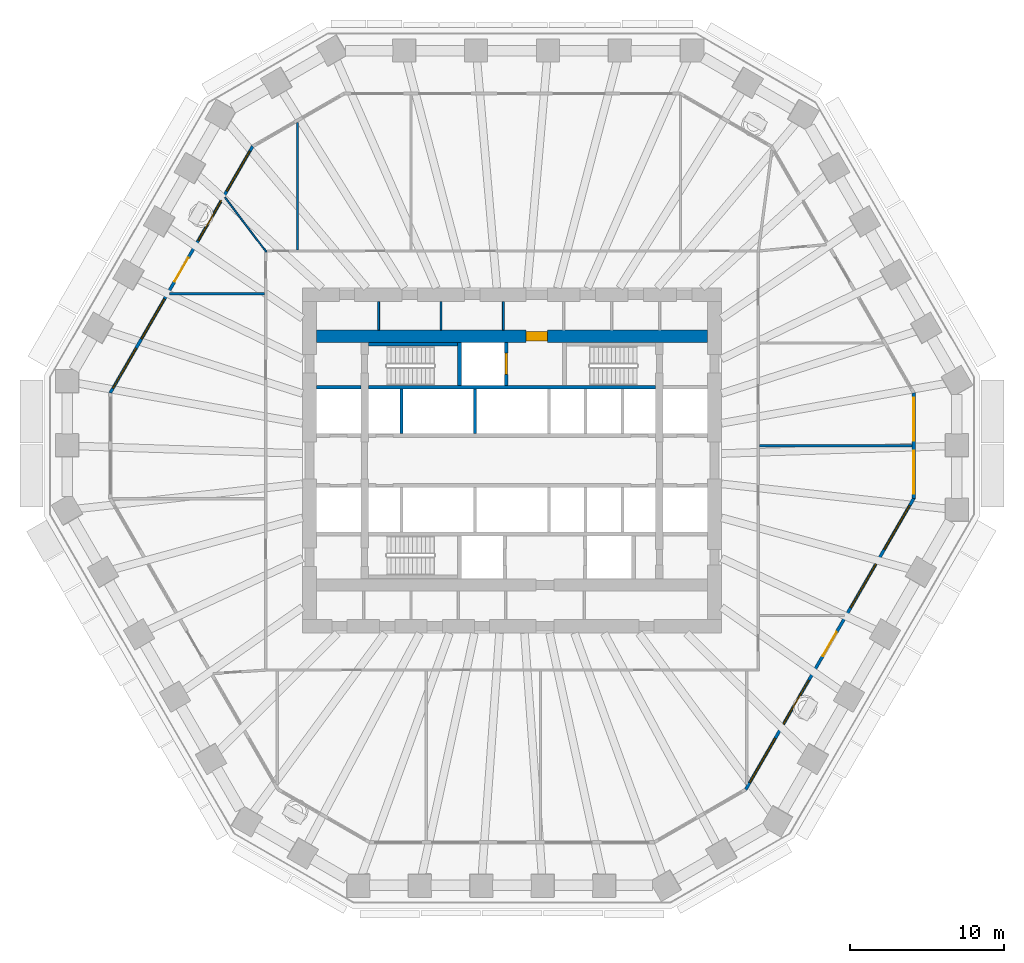
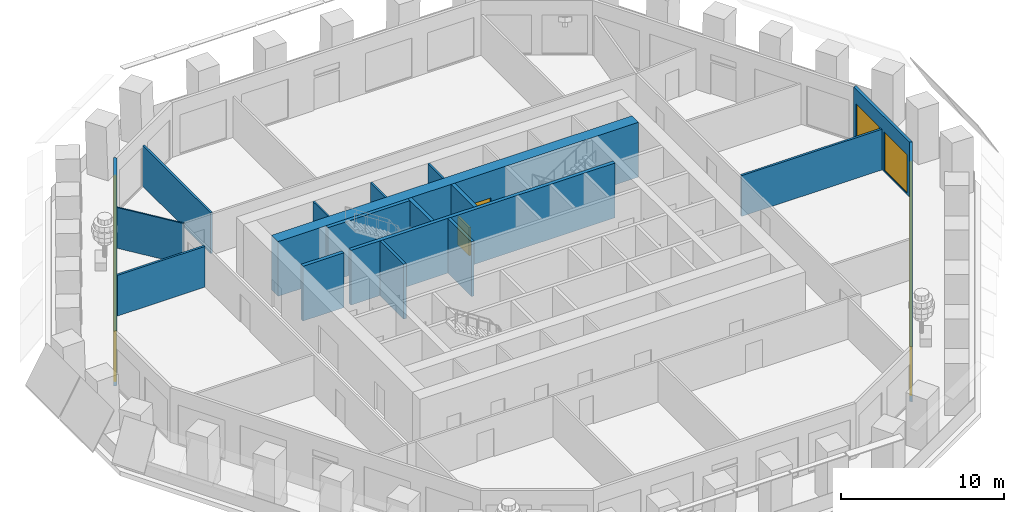
# One storey, part 6 of 12: 18 walls, 12 windows, 4 doors, 16 openings.
"""IFC4 building model written with IfcOpenShell, lengths in metres."""

import ifcopenshell
import ifcopenshell.guid

model = None  # the IFC model being written
_history = None  # IfcOwnerHistory: only IFC2X3 demands one
_inside = {}  # id of a spatial element -> (the spatial element, [elements in it])
_under = {}  # id of a project, library or spatial element -> (it, [spatial elements below it])
_declared = {}  # id of a project -> (the project, [libraries it declares])
_typed = {}  # id of a type object -> (the type object, [elements of that type])
_made_of = {}  # id of a material, layer set ... -> (it, [elements and type objects made of it])


def new_model(schema):
    """Start an empty IFC model of exactly this schema.

    Asked for "IFC4X3", IfcOpenShell would pick the latest addendum, in which some entities
    have other attributes; the version numbers below select the first issue.
    IFC2X3 requires an IfcOwnerHistory on every rooted entity: one is made here for all.
    """
    global model, _history
    if schema == "IFC4X3":
        model = ifcopenshell.file(schema_version=(4, 3, 0, 0))
    else:
        model = ifcopenshell.file(schema=schema)
    _inside.clear()
    _under.clear()
    _declared.clear()
    _typed.clear()
    _made_of.clear()
    _history = None
    if model.schema == "IFC2X3":
        org = make("IfcOrganization", Name="unknown")
        user = make(
            "IfcPersonAndOrganization",
            ThePerson=make("IfcPerson", FamilyName="unknown"),
            TheOrganization=org,
        )
        app = make(
            "IfcApplication",
            ApplicationDeveloper=org,
            Version="unknown",
            ApplicationFullName="unknown",
            ApplicationIdentifier="unknown",
        )
        _history = make(
            "IfcOwnerHistory",
            OwningUser=user,
            OwningApplication=app,
            ChangeAction="ADDED",
            CreationDate=0,
        )
    return model


def make(cls, **values):
    """One entity of the class cls with the attributes given. An attribute that is None is left unset."""
    return model.create_entity(
        cls, **{name: value for name, value in values.items() if value is not None}
    )


def rooted(cls, **values):
    """An entity with a GlobalId (a new one), such as an element, a storey or a relation."""
    return make(cls, GlobalId=ifcopenshell.guid.new(), OwnerHistory=_history, **values)


def si_unit(unit_type, name, prefix=None):
    """IfcSIUnit, for example si_unit("LENGTHUNIT", "METRE", prefix="MILLI")."""
    return make("IfcSIUnit", UnitType=unit_type, Prefix=prefix, Name=name)


def assignment(units):
    """IfcUnitAssignment: the units of a project."""
    return None if units is None else make("IfcUnitAssignment", Units=units)


def point(xyz):
    """IfcCartesianPoint."""
    return None if xyz is None else make("IfcCartesianPoint", Coordinates=xyz)


def direction(xyz):
    """IfcDirection."""
    return None if xyz is None else make("IfcDirection", DirectionRatios=xyz)


def frame(location, z_axis=None, x_axis=None):
    """IfcAxis2Placement3D, a coordinate frame: its origin and axes. An axis left out is left unset."""
    return make(
        "IfcAxis2Placement3D",
        Location=point(location),
        Axis=direction(z_axis),
        RefDirection=direction(x_axis),
    )


def frame_2d(location, x_axis=None):
    """IfcAxis2Placement2D, a coordinate frame in the plane: its origin and x axis."""
    return make(
        "IfcAxis2Placement2D", Location=point(location), RefDirection=direction(x_axis)
    )


def origin():
    """The frame at (0, 0, 0) with its axes left unset."""
    return frame((0.0, 0.0, 0.0))


def place(relative_to, where):
    """IfcLocalPlacement: puts the frame where relative to a parent placement (None: the world)."""
    return make(
        "IfcLocalPlacement", PlacementRelTo=relative_to, RelativePlacement=where
    )


def context(
    kind, dimensions, precision=None, world=None, true_north=None, identifier=None
):
    """IfcGeometricRepresentationContext, for example the 3D "Model" context."""
    return make(
        "IfcGeometricRepresentationContext",
        ContextIdentifier=identifier,
        ContextType=kind,
        CoordinateSpaceDimension=dimensions,
        Precision=precision,
        WorldCoordinateSystem=world,
        TrueNorth=true_north,
    )


def subcontext(parent, identifier, kind, view, scale=None):
    """IfcGeometricRepresentationSubContext, for example "Body" below "Model"."""
    return make(
        "IfcGeometricRepresentationSubContext",
        ContextIdentifier=identifier,
        ContextType=kind,
        ParentContext=parent,
        TargetScale=scale,
        TargetView=view,
    )


def project(units=None, contexts=None):
    """IfcProject with its units and contexts."""
    return rooted(
        "IfcProject",
        Name="project",
        RepresentationContexts=contexts,
        UnitsInContext=assignment(units),
    )


def spatial(cls, under=None, at=None, **own):
    """A site, building, storey or space (cls), placed at a placement, below another one or the project."""
    s = rooted(cls, ObjectPlacement=at, **own)
    if under is not None:
        _under.setdefault(under.id(), (under, []))[1].append(s)
    return s


def polyline(points):
    """IfcPolyline through the points."""
    return make("IfcPolyline", Points=[point(p) for p in points])


def profile(cls, at=None, kind="AREA", **sizes):
    """A parametric profile (cls). Its sizes go by their IFC names, for example OverallWidth=200.0."""
    return make(cls, ProfileType=kind, Position=at, **sizes)


def rectangle(**sizes):
    """IfcRectangleProfileDef."""
    return profile("IfcRectangleProfileDef", **sizes)


def outline(outer, holes=None, kind="AREA"):
    """IfcArbitraryClosedProfileDef: a profile drawn as a closed curve; with holes, ...WithVoids."""
    if holes is None:
        return make("IfcArbitraryClosedProfileDef", ProfileType=kind, OuterCurve=outer)
    return make(
        "IfcArbitraryProfileDefWithVoids",
        ProfileType=kind,
        OuterCurve=outer,
        InnerCurves=holes,
    )


def extrude(swept, where, along, depth):
    """IfcExtrudedAreaSolid: the profile swept, set in the frame where, extruded along a direction by depth."""
    return make(
        "IfcExtrudedAreaSolid",
        SweptArea=swept,
        Position=where,
        ExtrudedDirection=direction(along),
        Depth=depth,
    )


def shape(context_of_items, identifier, shape_type, items):
    """IfcShapeRepresentation: the items that make up one representation, for example the "Body"."""
    return make(
        "IfcShapeRepresentation",
        ContextOfItems=context_of_items,
        RepresentationIdentifier=identifier,
        RepresentationType=shape_type,
        Items=items,
    )


def material(Name=None, Category=None):
    """IfcMaterial."""
    return make("IfcMaterial", Name=Name, Category=Category)


def layer(
    of_material, thickness, ventilated=None, Name=None, Category=None, Priority=None
):
    """IfcMaterialLayer: one layer of a wall or slab, of a material (None: an air gap)."""
    return make(
        "IfcMaterialLayer",
        Material=of_material,
        LayerThickness=thickness,
        IsVentilated=ventilated,
        Name=Name,
        Category=Category,
        Priority=Priority,
    )


def layer_set(layers, Name=None):
    """IfcMaterialLayerSet."""
    return make("IfcMaterialLayerSet", MaterialLayers=layers, LayerSetName=Name)


def made_of(thing, what):
    """Note that an element or type object is made of a material, layer set ...; save() writes the relation."""
    if what is not None:
        _made_of.setdefault(what.id(), (what, []))[1].append(thing)
    return thing


def type_object(cls, material=None, **own):
    """A type object (cls), such as IfcWallType, which elements share."""
    return made_of(rooted(cls, **own), material)


def element(
    cls,
    number,
    at=None,
    inside=None,
    cuts=None,
    type_object=None,
    material=None,
    context=None,
    identifier="Body",
    shape_type=None,
    held_by="IfcProductDefinitionShape",
    body=None,
    shapes=None,
    **own,
):
    """One element of the class cls, such as IfcWall. Its Tag is "e" and its number.

    at: its placement. inside: the storey or other place that contains it. cuts: it is an
    opening in that element (IfcRelVoidsElement). A single representation is given by context,
    identifier, shape_type and body (its items); several are given by shapes. held_by: the class
    of the entity that holds the representations. save() writes the other relations.
    """
    e = rooted(cls, Tag="e%d" % number, ObjectPlacement=at, **own)
    if body is not None:
        shapes = [shape(context, identifier, shape_type, body)]
    if shapes is not None:
        e.Representation = make(held_by, Representations=shapes)
    if inside is not None:
        _inside.setdefault(inside.id(), (inside, []))[1].append(e)
    if cuts is not None:
        rooted(
            "IfcRelVoidsElement", RelatingBuildingElement=cuts, RelatedOpeningElement=e
        )
    if type_object is not None:
        _typed.setdefault(type_object.id(), (type_object, []))[1].append(e)
    return made_of(e, material)


def fill(opening, filler):
    """IfcRelFillsElement: the door or window that sits in an opening."""
    return rooted(
        "IfcRelFillsElement",
        RelatingOpeningElement=opening,
        RelatedBuildingElement=filler,
    )


def aggregate(whole, parts):
    """IfcRelAggregates: a whole, such as a stair, and the parts it consists of."""
    return rooted("IfcRelAggregates", RelatingObject=whole, RelatedObjects=parts)


def save(model, path):
    """Write the relations noted so far, then the file.

    IfcRelAggregates (storeys below a building ...), IfcRelContainedInSpatialStructure (elements
    in a storey), IfcRelDefinesByType, IfcRelAssociatesMaterial and IfcRelDeclares: one each for
    every whole, place, type object, material and project.
    """
    for whole, parts in _under.values():
        aggregate(whole, parts)
    for where, things in _inside.values():
        rooted(
            "IfcRelContainedInSpatialStructure",
            RelatedElements=things,
            RelatingStructure=where,
        )
    for kind, things in _typed.values():
        rooted("IfcRelDefinesByType", RelatedObjects=things, RelatingType=kind)
    for what, things in _made_of.values():
        rooted("IfcRelAssociatesMaterial", RelatedObjects=things, RelatingMaterial=what)
    for by, libraries in _declared.values():
        rooted("IfcRelDeclares", RelatingContext=by, RelatedDefinitions=libraries)
    model.write(path)


model = new_model("IFC4")

# Units and contexts
model_context = context("Model", 3, precision=1e-05, world=origin(), true_north=direction((0.0, 1.0)))
body_context = subcontext(model_context, "Body", "Model", "MODEL_VIEW")
ifc_project = project(units=[si_unit("LENGTHUNIT", "METRE"), si_unit("AREAUNIT", "SQUARE_METRE"), si_unit("VOLUMEUNIT", "CUBIC_METRE"), si_unit("PLANEANGLEUNIT", "RADIAN"), si_unit("MASSUNIT", "GRAM", prefix="KILO")], contexts=[model_context])

# Site, building, storey
site_placement = place(None, origin())
site = spatial("IfcSite", under=ifc_project, at=site_placement, CompositionType="ELEMENT")
building_placement = place(site_placement, origin())
building = spatial("IfcBuilding", under=site, at=building_placement, Name="Frailejon Research Tower", CompositionType="ELEMENT")
storey_placement = place(building_placement, frame((0.0, 0.0, 45.39990234375)))
storey = spatial("IfcBuildingStorey", under=building, at=storey_placement, Name="L10", CompositionType="ELEMENT", Elevation=45.39990234375)

# Walls
ifc_material_1 = material(Name="Plasterboard on steel studs", Category="steel")
ifc_layer_1 = layer(ifc_material_1, 0.125)
ifc_layer_set_1 = layer_set([ifc_layer_1], Name="Core partition 125")
wall_type_1 = type_object("IfcWallType", Name="Core partition 125", PredefinedType="PARTITIONING", material=ifc_layer_set_1)
for number, where, z_axis, x_axis, name in (
    (1, (-8.6875, 8.5, 0.0), (0.0, 0.0, 1.0), (0.0, 1.0, 0.0), "Core partition"),
    (2, (-4.625, 8.5, 0.0), (0.0, 0.0, 1.0), (0.0, 1.0, 0.0), "Core partition"),
    (3, (-0.5625, 8.5, 0.0), (0.0, 0.0, 1.0), (0.0, 1.0, 0.0), "Core partition"),
):
    element("IfcWall", number, at=place(storey_placement, frame(where, z_axis=z_axis, x_axis=x_axis)), inside=storey, type_object=wall_type_1, Name=name, PredefinedType="PARTITIONING", context=body_context, shape_type="SweptSolid", body=[
        extrude(rectangle(XDim=1.85009765625, YDim=0.125, at=frame_2d((0.925048828125, 0.0))), origin(), (0.0, 0.0, 1.0), 4.10009765625),
    ])

# Wall, opening, door
ifc_material_2 = material(Name="Concrete C70/85", Category="concrete")
ifc_layer_2 = layer(ifc_material_2, 0.800048828125)
ifc_layer_set_2 = layer_set([ifc_layer_2], Name="Core shear wall 800 C70/85")
wall_type_2 = type_object("IfcWallType", Name="Core shear wall 800 C70/85", PredefinedType="SHEAR", material=ifc_layer_set_2)
wall_1_placement = place(storey_placement, frame((-12.75, 8.10009765625, 0.0), z_axis=(0.0, 0.0, 1.0), x_axis=(1.0, 0.0, 0.0)))
wall_1 = element("IfcWall", 4, at=wall_1_placement, inside=storey, type_object=wall_type_2, Name="Core shear wall", PredefinedType="SHEAR", context=body_context, shape_type="SweptSolid", body=[
    extrude(rectangle(XDim=25.5, YDim=0.800048828125, at=frame_2d((12.75, 0.0))), origin(), (0.0, 0.0, 1.0), 4.10009765625),
])
opening_1_placement = place(wall_1_placement, frame((13.675048828125, 0.0, 0.0)))
opening_1 = element("IfcOpeningElement", 5, at=opening_1_placement, cuts=wall_1, Name="Opening D9", PredefinedType="OPENING", context=body_context, shape_type="SweptSolid", body=[
    extrude(rectangle(XDim=1.39990234375, YDim=2.10009765625, at=frame_2d((0.699951171875, 1.050048828125))), frame((0.0, 0.409912109375, 0.0), z_axis=(0.0, -1.0, 0.0), x_axis=(1.0, 0.0, 0.0)), (0.0, 0.0, 1.0), 0.820068359375),
])
ifc_material_3 = material(Name="Steel", Category="steel")
door_type_1 = type_object("IfcDoorType", Name="Goods lobby door", OperationType="DOUBLE_DOOR_SINGLE_SWING", PredefinedType="DOOR", material=ifc_material_3)
door_1_placement = place(opening_1_placement, origin())
door_1 = element("IfcDoor", 6, at=door_1_placement, inside=storey, type_object=door_type_1, Name="Goods lobby door", OperationType="DOUBLE_DOOR_SINGLE_SWING", OverallHeight=2.10009765625, OverallWidth=1.39990234375, PredefinedType="DOOR", context=body_context, shape_type="SweptSolid", body=[
    extrude(rectangle(XDim=1.39990234375, YDim=2.10009765625, at=frame_2d((0.699951171875, 1.050048828125))), frame((0.0, 0.300048828125, 0.0), z_axis=(0.0, -1.0, 0.0), x_axis=(1.0, 0.0, 0.0)), (0.0, 0.0, 1.0), 0.60009765625),
])
fill(opening_1, door_1)

# Walls
ifc_material_4 = material(Name="Gypsum board and masonry partition", Category="masonry")
ifc_layer_3 = layer(ifc_material_4, 0.14990234375)
ifc_layer_set_3 = layer_set([ifc_layer_3], Name="Laboratory partition, blockwork 150")
wall_type_3 = type_object("IfcWallType", Name="Laboratory partition, blockwork 150", PredefinedType="PARTITIONING", material=ifc_layer_set_3)
wall_2_placement = place(storey_placement, frame((16.125, 0.968017578125, 0.0), z_axis=(0.0, 0.0, 1.0), x_axis=(1.0, 0.0, 0.0)))
element("IfcWall", 7, at=wall_2_placement, inside=storey, type_object=wall_type_3, Name="T:IW:L10:006", PredefinedType="PARTITIONING", context=body_context, shape_type="SweptSolid", body=[
    extrude(rectangle(XDim=9.946533203125, YDim=0.14990234375, at=frame_2d((4.97314453125, 0.0))), origin(), (0.0, 0.0, 1.0), 3.050048828125),
])
wall_3_placement = place(storey_placement, frame((-13.97412109375, 13.72509765625, 0.0), z_axis=(0.0, 0.0, 1.0), x_axis=(0.0, 1.0, 0.0)))
element("IfcWall", 8, at=wall_3_placement, inside=storey, type_object=wall_type_3, Name="T:IW:L10:011", PredefinedType="PARTITIONING", context=body_context, shape_type="SweptSolid", body=[
    extrude(rectangle(XDim=8.31201171875, YDim=0.14990234375, at=frame_2d((4.156005859375, 0.0))), origin(), (0.0, 0.0, 1.0), 3.050048828125),
])
wall_4_placement = place(storey_placement, frame((-22.32177734375, 10.87353515625, 0.0), z_axis=(0.0, 0.0, 1.0), x_axis=(1.0, 0.0, 0.0)))
element("IfcWall", 9, at=wall_4_placement, inside=storey, type_object=wall_type_3, Name="T:IW:L10:012", PredefinedType="PARTITIONING", context=body_context, shape_type="SweptSolid", body=[
    extrude(rectangle(XDim=6.19677734375, YDim=0.14990234375, at=frame_2d((3.098388671875, 0.0))), origin(), (0.0, 0.0, 1.0), 3.050048828125),
])
ifc_material_5 = material(Name="Gypsum board and masonry partition", Category="masonry")
ifc_layer_4 = layer(ifc_material_5, 0.10009765625)
ifc_layer_set_4 = layer_set([ifc_layer_4], Name="Partition, gypsum on steel studs 100")
wall_type_4 = type_object("IfcWallType", Name="Partition, gypsum on steel studs 100", PredefinedType="PARTITIONING", material=ifc_layer_set_4)
wall_5_placement = place(storey_placement, frame((-18.702392578125, 17.142333984375, 0.0), z_axis=(0.0, 0.0, 1.0), x_axis=(0.604832040572, -0.796353064098, 0.0)))
element("IfcWall", 10, at=wall_5_placement, inside=storey, type_object=wall_type_4, Name="T:IW:L10:020", PredefinedType="PARTITIONING", context=body_context, shape_type="SweptSolid", body=[
    extrude(rectangle(XDim=4.46044921875, YDim=0.10009765625, at=frame_2d((2.230224609375, 0.0))), origin(), (0.0, 0.0, 1.0), 3.050048828125),
])
ifc_material_6 = material(Name="Concrete C70/85", Category="concrete")
ifc_layer_5 = layer(ifc_material_6, 0.199951171875)
ifc_layer_set_5 = layer_set([ifc_layer_5], Name="Shaft wall 200 C70/85")
wall_type_5 = type_object("IfcWallType", Name="Shaft wall 200 C70/85", PredefinedType="SOLIDWALL", material=ifc_layer_set_5)
for number, where, z_axis, x_axis, name in (
    (11, (-7.199951171875, 1.75, 0.0), (0.0, 0.0, 1.0), (0.0, 1.0, 0.0), "Shaft wall"),
    (12, (-2.39990234375, 1.75, 0.0), (0.0, 0.0, 1.0), (0.0, 1.0, 0.0), "Shaft wall"),
):
    element("IfcWall", number, at=place(storey_placement, frame(where, z_axis=z_axis, x_axis=x_axis)), inside=storey, type_object=wall_type_5, Name=name, PredefinedType="SOLIDWALL", context=body_context, shape_type="SweptSolid", body=[
        extrude(rectangle(XDim=2.89990234375, YDim=0.199951171875, at=frame_2d((1.449951171875, 0.0))), origin(), (0.0, 0.0, 1.0), 4.10009765625),
    ])
ifc_material_7 = material(Name="Concrete C70/85", Category="concrete")
ifc_layer_6 = layer(ifc_material_7, 0.25)
ifc_layer_set_6 = layer_set([ifc_layer_6], Name="Shaft wall 250 C70/85")
wall_type_6 = type_object("IfcWallType", Name="Shaft wall 250 C70/85", PredefinedType="SOLIDWALL", material=ifc_layer_set_6)
wall_6_placement = place(storey_placement, frame((-12.75, 4.77490234375, 0.0), z_axis=(0.0, 0.0, 1.0), x_axis=(1.0, 0.0, 0.0)))
element("IfcWall", 13, at=wall_6_placement, inside=storey, type_object=wall_type_6, Name="Shaft wall", PredefinedType="SOLIDWALL", context=body_context, shape_type="SweptSolid", body=[
    extrude(rectangle(XDim=2.89990234375, YDim=0.25, at=frame_2d((1.449951171875, 0.0))), origin(), (0.0, 0.0, 1.0), 4.10009765625),
])
wall_7_placement = place(storey_placement, frame((-9.35009765625, 4.77490234375, 0.0), z_axis=(0.0, 0.0, 1.0), x_axis=(1.0, 0.0, 0.0)))
element("IfcWall", 14, at=wall_7_placement, inside=storey, type_object=wall_type_6, Name="Shaft wall", PredefinedType="SOLIDWALL", context=body_context, shape_type="SweptSolid", body=[
    extrude(rectangle(XDim=18.7001953125, YDim=0.25, at=frame_2d((9.35009765625, 0.0))), origin(), (0.0, 0.0, 1.0), 4.10009765625),
])
wall_8_placement = place(storey_placement, frame((-9.35009765625, 7.574951171875, 0.0), z_axis=(0.0, 0.0, 1.0), x_axis=(1.0, 0.0, 0.0)))
element("IfcWall", 15, at=wall_8_placement, inside=storey, type_object=wall_type_6, Name="Shaft wall", PredefinedType="SOLIDWALL", context=body_context, shape_type="SweptSolid", body=[
    extrude(rectangle(XDim=5.800048828125, YDim=0.25, at=frame_2d((2.89990234375, 0.0))), origin(), (0.0, 0.0, 1.0), 4.10009765625),
])
wall_9_placement = place(storey_placement, frame((-3.425048828125, 4.89990234375, 0.0), z_axis=(0.0, 0.0, 1.0), x_axis=(0.0, 1.0, 0.0)))
element("IfcWall", 16, at=wall_9_placement, inside=storey, type_object=wall_type_6, Name="Shaft wall", PredefinedType="SOLIDWALL", context=body_context, shape_type="SweptSolid", body=[
    extrude(rectangle(XDim=2.800048828125, YDim=0.25, at=frame_2d((1.39990234375, 0.0))), origin(), (0.0, 0.0, 1.0), 4.10009765625),
])

# Wall, opening, door
wall_10_placement = place(storey_placement, frame((-0.375, 4.89990234375, 0.0), z_axis=(0.0, 0.0, 1.0), x_axis=(0.0, 1.0, 0.0)))
wall_10 = element("IfcWall", 17, at=wall_10_placement, inside=storey, type_object=wall_type_6, Name="Shaft wall", PredefinedType="SOLIDWALL", context=body_context, shape_type="SweptSolid", body=[
    extrude(rectangle(XDim=2.800048828125, YDim=0.25, at=frame_2d((1.39990234375, 0.0))), origin(), (0.0, 0.0, 1.0), 4.10009765625),
])
opening_2_placement = place(wall_10_placement, frame((0.699951171875, 0.0, 0.0)))
opening_2 = element("IfcOpeningElement", 18, at=opening_2_placement, cuts=wall_10, Name="Opening LD2", PredefinedType="OPENING", context=body_context, shape_type="SweptSolid", body=[
    extrude(rectangle(XDim=1.39990234375, YDim=2.10009765625, at=frame_2d((0.699951171875, 1.050048828125))), frame((0.0, 0.135009765625, 0.0), z_axis=(0.0, -1.0, 0.0), x_axis=(1.0, 0.0, 0.0)), (0.0, 0.0, 1.0), 0.27001953125),
])
ifc_material_8 = material(Name="Stainless steel", Category="steel")
door_type_2 = type_object("IfcDoorType", Name="Goods landing door", OperationType="DOUBLE_DOOR_SLIDING", PredefinedType="DOOR", material=ifc_material_8)
door_2_placement = place(opening_2_placement, origin())
door_2 = element("IfcDoor", 19, at=door_2_placement, inside=storey, type_object=door_type_2, Name="Lift landing door", OperationType="DOUBLE_DOOR_SLIDING", OverallHeight=2.10009765625, OverallWidth=1.39990234375, PredefinedType="DOOR", context=body_context, shape_type="SweptSolid", body=[
    extrude(rectangle(XDim=1.39990234375, YDim=2.10009765625, at=frame_2d((0.699951171875, 1.050048828125))), frame((0.0, 0.074951171875, 0.0), z_axis=(0.0, -1.0, 0.0), x_axis=(1.0, 0.0, 0.0)), (0.0, 0.0, 1.0), 0.14990234375),
])
fill(opening_2, door_2)

# Wall, openings, windows
ifc_material_9 = material(Name="Concrete C40/50 precast window wall panel", Category="concrete")
ifc_layer_7 = layer(ifc_material_9, 0.199951171875)
ifc_layer_set_7 = layer_set([ifc_layer_7], Name="Window wall 200")
wall_type_7 = type_object("IfcWallType", Name="Window wall 200", PredefinedType="SOLIDWALL", material=ifc_layer_set_7)
wall_11_placement = place(storey_placement, frame((26.171630859375, -2.469482421875, 0.0), z_axis=(0.0, 0.0, 1.0), x_axis=(0.0, 1.0, 0.0)))
wall_11 = element("IfcWall", 20, at=wall_11_placement, inside=storey, type_object=wall_type_7, Name="Exterior wall L10", PredefinedType="SOLIDWALL", context=body_context, shape_type="SweptSolid", body=[
    extrude(outline(polyline([(-0.02685546875, -0.10009765625), (1.1279296875, -0.10009765625), (2.28271484375, -0.10009765625), (3.4375, -0.10009765625), (4.592041015625, -0.10009765625), (5.746826171875, -0.10009765625), (6.901611328125, -0.10009765625), (6.847900390625, 0.10009765625), (5.7109375, 0.10009765625), (4.57421875, 0.10009765625), (3.4375, 0.10009765625), (2.300537109375, 0.10009765625), (1.16357421875, 0.10009765625), (0.02685546875, 0.10009765625), (-0.02685546875, -0.10009765625)])), origin(), (0.0, 0.0, 1.0), 4.10009765625),
])
opening_3_placement = place(wall_11_placement, frame((0.318603515625, 0.0, 0.10009765625)))
opening_3 = element("IfcOpeningElement", 21, at=opening_3_placement, cuts=wall_11, Name="Opening W3", PredefinedType="OPENING", context=body_context, shape_type="SweptSolid", body=[
    extrude(rectangle(XDim=2.800048828125, YDim=2.89990234375, at=frame_2d((1.39990234375, 1.449951171875))), frame((0.0, 0.10986328125, 0.0), z_axis=(0.0, -1.0, 0.0), x_axis=(1.0, 0.0, 0.0)), (0.0, 0.0, 1.0), 0.219970703125),
])
opening_4_placement = place(wall_11_placement, frame((3.756103515625, 0.0, 0.10009765625)))
opening_4 = element("IfcOpeningElement", 22, at=opening_4_placement, cuts=wall_11, Name="Opening W3", PredefinedType="OPENING", context=body_context, shape_type="SweptSolid", body=[
    extrude(rectangle(XDim=2.800048828125, YDim=2.89990234375, at=frame_2d((1.39990234375, 1.449951171875))), frame((0.0, 0.10986328125, 0.0), z_axis=(0.0, -1.0, 0.0), x_axis=(1.0, 0.0, 0.0)), (0.0, 0.0, 1.0), 0.219970703125),
])
ifc_material_10 = material(Name="Aluminium framed double glazing", Category="aluminium")
window_type_1 = type_object("IfcWindowType", Name="Window 2800x2900", PartitioningType="SINGLE_PANEL", PredefinedType="WINDOW", material=ifc_material_10)
window_1_placement = place(opening_3_placement, origin())
window_1 = element("IfcWindow", 23, at=window_1_placement, inside=storey, type_object=window_type_1, Name="Window L10", OverallHeight=2.89990234375, OverallWidth=2.800048828125, PartitioningType="SINGLE_PANEL", PredefinedType="WINDOW", context=body_context, shape_type="SweptSolid", body=[
    extrude(rectangle(XDim=2.800048828125, YDim=2.89990234375, at=frame_2d((1.39990234375, 1.449951171875))), frame((0.0, 0.030029296875, 0.0), z_axis=(0.0, -1.0, 0.0), x_axis=(1.0, 0.0, 0.0)), (0.0, 0.0, 1.0), 0.06005859375),
])
fill(opening_3, window_1)
window_2_placement = place(opening_4_placement, origin())
window_2 = element("IfcWindow", 24, at=window_2_placement, inside=storey, type_object=window_type_1, Name="Window L10", OverallHeight=2.89990234375, OverallWidth=2.800048828125, PartitioningType="SINGLE_PANEL", PredefinedType="WINDOW", context=body_context, shape_type="SweptSolid", body=[
    extrude(rectangle(XDim=2.800048828125, YDim=2.89990234375, at=frame_2d((1.39990234375, 1.449951171875))), frame((0.0, 0.030029296875, 0.0), z_axis=(0.0, -1.0, 0.0), x_axis=(1.0, 0.0, 0.0)), (0.0, 0.0, 1.0), 0.06005859375),
])
fill(opening_4, window_2)

# Wall, openings, door, windows
wall_12_placement = place(storey_placement, frame((-16.90087890625, 20.462646484375, 0.0), z_axis=(0.0, 0.0, 1.0), x_axis=(-0.500000942564, -0.866024859594, 0.0)))
wall_12 = element("IfcWall", 25, at=wall_12_placement, inside=storey, type_object=wall_type_7, Name="Exterior wall L10", PredefinedType="SOLIDWALL", context=body_context, shape_type="SweptSolid", body=[
    extrude(outline(polyline([(-0.02685546875, -0.10009765625), (1.006103515625, -0.10009765625), (2.039306640625, -0.10009765625), (3.072265625, -0.10009765625), (4.10546875, -0.10009765625), (5.138427734375, -0.10009765625), (6.171630859375, -0.10009765625), (7.20458984375, -0.10009765625), (8.23779296875, -0.10009765625), (9.270751953125, -0.10009765625), (10.3037109375, -0.10009765625), (11.3369140625, -0.10009765625), (12.369873046875, -0.10009765625), (13.403076171875, -0.10009765625), (14.43603515625, -0.10009765625), (15.46923828125, -0.10009765625), (16.502197265625, -0.10009765625), (17.535400390625, -0.10009765625), (18.568359375, -0.10009765625), (18.5146484375, 0.10009765625), (17.487548828125, 0.10009765625), (16.46044921875, 0.10009765625), (15.433349609375, 0.10009765625), (14.40625, 0.10009765625), (13.379150390625, 0.10009765625), (12.35205078125, 0.10009765625), (11.324951171875, 0.10009765625), (10.2978515625, 0.10009765625), (9.270751953125, 0.10009765625), (8.24365234375, 0.10009765625), (7.216552734375, 0.10009765625), (6.189453125, 0.10009765625), (5.162353515625, 0.10009765625), (4.13525390625, 0.10009765625), (3.108154296875, 0.10009765625), (2.0810546875, 0.10009765625), (1.053955078125, 0.10009765625), (0.02685546875, 0.10009765625), (-0.02685546875, -0.10009765625)])), origin(), (0.0, 0.0, 1.0), 4.10009765625),
])
opening_5_placement = place(wall_12_placement, frame((0.354248046875, 0.0, 0.10009765625)))
opening_5 = element("IfcOpeningElement", 26, at=opening_5_placement, cuts=wall_12, Name="Opening W4", PredefinedType="OPENING", context=body_context, shape_type="SweptSolid", body=[
    extrude(rectangle(XDim=3.0, YDim=2.89990234375, at=frame_2d((1.5, 1.449951171875))), frame((0.0, 0.10986328125, 0.0), z_axis=(0.0, -1.0, 0.0), x_axis=(1.0, 0.0, 0.0)), (0.0, 0.0, 1.0), 0.219970703125),
])
opening_6_placement = place(wall_12_placement, frame((4.0625, 0.0, 0.10009765625)))
opening_6 = element("IfcOpeningElement", 27, at=opening_6_placement, cuts=wall_12, Name="Opening W4", PredefinedType="OPENING", context=body_context, shape_type="SweptSolid", body=[
    extrude(rectangle(XDim=3.0, YDim=2.89990234375, at=frame_2d((1.5, 1.449951171875))), frame((0.0, 0.10986328125, 0.0), z_axis=(0.0, -1.0, 0.0), x_axis=(1.0, 0.0, 0.0)), (0.0, 0.0, 1.0), 0.219970703125),
])
opening_7_placement = place(wall_12_placement, frame((8.370849609375, 0.0, 0.0)))
opening_7 = element("IfcOpeningElement", 28, at=opening_7_placement, cuts=wall_12, Name="Opening LG10-3", PredefinedType="OPENING", context=body_context, shape_type="SweptSolid", body=[
    extrude(rectangle(XDim=1.800048828125, YDim=2.39990234375, at=frame_2d((0.89990234375, 1.199951171875))), frame((0.0, 0.10986328125, 0.0), z_axis=(0.0, -1.0, 0.0), x_axis=(1.0, 0.0, 0.0)), (0.0, 0.0, 1.0), 0.219970703125),
])
opening_8_placement = place(wall_12_placement, frame((8.370849609375, 0.0, 2.550048828125)))
opening_8 = element("IfcOpeningElement", 29, at=opening_8_placement, cuts=wall_12, Name="Opening W1", PredefinedType="OPENING", context=body_context, shape_type="SweptSolid", body=[
    extrude(rectangle(XDim=1.800048828125, YDim=0.449951171875, at=frame_2d((0.89990234375, 0.22509765625))), frame((0.0, 0.10986328125, 0.0), z_axis=(0.0, -1.0, 0.0), x_axis=(1.0, 0.0, 0.0)), (0.0, 0.0, 1.0), 0.219970703125),
])
opening_9_placement = place(wall_12_placement, frame((11.47900390625, 0.0, 0.10009765625)))
opening_9 = element("IfcOpeningElement", 30, at=opening_9_placement, cuts=wall_12, Name="Opening W4", PredefinedType="OPENING", context=body_context, shape_type="SweptSolid", body=[
    extrude(rectangle(XDim=3.0, YDim=2.89990234375, at=frame_2d((1.5, 1.449951171875))), frame((0.0, 0.10986328125, 0.0), z_axis=(0.0, -1.0, 0.0), x_axis=(1.0, 0.0, 0.0)), (0.0, 0.0, 1.0), 0.219970703125),
])
opening_10_placement = place(wall_12_placement, frame((15.1875, 0.0, 0.10009765625)))
opening_10 = element("IfcOpeningElement", 31, at=opening_10_placement, cuts=wall_12, Name="Opening W4", PredefinedType="OPENING", context=body_context, shape_type="SweptSolid", body=[
    extrude(rectangle(XDim=3.0, YDim=2.89990234375, at=frame_2d((1.5, 1.449951171875))), frame((0.0, 0.10986328125, 0.0), z_axis=(0.0, -1.0, 0.0), x_axis=(1.0, 0.0, 0.0)), (0.0, 0.0, 1.0), 0.219970703125),
])
ifc_material_11 = material(Name="Aluminium framed glazed door leaf", Category="aluminium")
door_type_3 = type_object("IfcDoorType", Name="Loggia door 1800x2400", OperationType="DOUBLE_DOOR_SINGLE_SWING", PredefinedType="DOOR", material=ifc_material_11)
door_3_placement = place(opening_7_placement, origin())
door_3 = element("IfcDoor", 32, at=door_3_placement, inside=storey, type_object=door_type_3, Name="Door LG10-3", OperationType="DOUBLE_DOOR_SINGLE_SWING", OverallHeight=2.39990234375, OverallWidth=1.800048828125, PredefinedType="DOOR", context=body_context, shape_type="SweptSolid", body=[
    extrude(rectangle(XDim=1.800048828125, YDim=2.39990234375, at=frame_2d((0.89990234375, 1.199951171875))), frame((0.0, 0.02490234375, 0.0), z_axis=(0.0, -1.0, 0.0), x_axis=(1.0, 0.0, 0.0)), (0.0, 0.0, 1.0), 0.050048828125),
])
fill(opening_7, door_3)
ifc_material_12 = material(Name="Aluminium framed double glazing", Category="aluminium")
window_type_2 = type_object("IfcWindowType", Name="Window 1800x450", PartitioningType="SINGLE_PANEL", PredefinedType="WINDOW", material=ifc_material_12)
window_3_placement = place(opening_8_placement, origin())
window_3 = element("IfcWindow", 33, at=window_3_placement, inside=storey, type_object=window_type_2, Name="Window L10", OverallHeight=0.449951171875, OverallWidth=1.800048828125, PartitioningType="SINGLE_PANEL", PredefinedType="WINDOW", context=body_context, shape_type="SweptSolid", body=[
    extrude(rectangle(XDim=1.800048828125, YDim=0.449951171875, at=frame_2d((0.89990234375, 0.22509765625))), frame((0.0, 0.030029296875, 0.0), z_axis=(0.0, -1.0, 0.0), x_axis=(1.0, 0.0, 0.0)), (0.0, 0.0, 1.0), 0.06005859375),
])
fill(opening_8, window_3)
ifc_material_13 = material(Name="Aluminium framed double glazing", Category="aluminium")
window_type_3 = type_object("IfcWindowType", Name="Window 3000x2900", PartitioningType="SINGLE_PANEL", PredefinedType="WINDOW", material=ifc_material_13)
window_4_placement = place(opening_5_placement, origin())
window_4 = element("IfcWindow", 34, at=window_4_placement, inside=storey, type_object=window_type_3, Name="Window L10", OverallHeight=2.89990234375, OverallWidth=3.0, PartitioningType="SINGLE_PANEL", PredefinedType="WINDOW", context=body_context, shape_type="SweptSolid", body=[
    extrude(rectangle(XDim=3.0, YDim=2.89990234375, at=frame_2d((1.5, 1.449951171875))), frame((0.0, 0.030029296875, 0.0), z_axis=(0.0, -1.0, 0.0), x_axis=(1.0, 0.0, 0.0)), (0.0, 0.0, 1.0), 0.06005859375),
])
fill(opening_5, window_4)
window_5_placement = place(opening_6_placement, origin())
window_5 = element("IfcWindow", 35, at=window_5_placement, inside=storey, type_object=window_type_3, Name="Window L10", OverallHeight=2.89990234375, OverallWidth=3.0, PartitioningType="SINGLE_PANEL", PredefinedType="WINDOW", context=body_context, shape_type="SweptSolid", body=[
    extrude(rectangle(XDim=3.0, YDim=2.89990234375, at=frame_2d((1.5, 1.449951171875))), frame((0.0, 0.030029296875, 0.0), z_axis=(0.0, -1.0, 0.0), x_axis=(1.0, 0.0, 0.0)), (0.0, 0.0, 1.0), 0.06005859375),
])
fill(opening_6, window_5)
window_6_placement = place(opening_9_placement, origin())
window_6 = element("IfcWindow", 36, at=window_6_placement, inside=storey, type_object=window_type_3, Name="Window L10", OverallHeight=2.89990234375, OverallWidth=3.0, PartitioningType="SINGLE_PANEL", PredefinedType="WINDOW", context=body_context, shape_type="SweptSolid", body=[
    extrude(rectangle(XDim=3.0, YDim=2.89990234375, at=frame_2d((1.5, 1.449951171875))), frame((0.0, 0.030029296875, 0.0), z_axis=(0.0, -1.0, 0.0), x_axis=(1.0, 0.0, 0.0)), (0.0, 0.0, 1.0), 0.06005859375),
])
fill(opening_9, window_6)
window_7_placement = place(opening_10_placement, origin())
window_7 = element("IfcWindow", 37, at=window_7_placement, inside=storey, type_object=window_type_3, Name="Window L10", OverallHeight=2.89990234375, OverallWidth=3.0, PartitioningType="SINGLE_PANEL", PredefinedType="WINDOW", context=body_context, shape_type="SweptSolid", body=[
    extrude(rectangle(XDim=3.0, YDim=2.89990234375, at=frame_2d((1.5, 1.449951171875))), frame((0.0, 0.030029296875, 0.0), z_axis=(0.0, -1.0, 0.0), x_axis=(1.0, 0.0, 0.0)), (0.0, 0.0, 1.0), 0.06005859375),
])
fill(opening_10, window_7)

wall_13_placement = place(storey_placement, frame((15.224365234375, -21.4306640625, 0.0), z_axis=(0.0, 0.0, 1.0), x_axis=(0.500000763912, 0.866024962739, 0.0)))
wall_13 = element("IfcWall", 38, at=wall_13_placement, inside=storey, type_object=wall_type_7, Name="Exterior wall L10", PredefinedType="SOLIDWALL", context=body_context, shape_type="SweptSolid", body=[
    extrude(outline(polyline([(-0.02685546875, -0.10009765625), (1.018310546875, -0.10009765625), (2.0634765625, -0.10009765625), (3.108642578125, -0.10009765625), (4.15380859375, -0.10009765625), (5.198974609375, -0.10009765625), (6.244140625, -0.10009765625), (7.289306640625, -0.10009765625), (8.33447265625, -0.10009765625), (9.379638671875, -0.10009765625), (10.4248046875, -0.10009765625), (11.4697265625, -0.10009765625), (12.514892578125, -0.10009765625), (13.56005859375, -0.10009765625), (14.605224609375, -0.10009765625), (15.650390625, -0.10009765625), (16.695556640625, -0.10009765625), (17.74072265625, -0.10009765625), (18.785888671875, -0.10009765625), (19.8310546875, -0.10009765625), (20.876220703125, -0.10009765625), (21.92138671875, -0.10009765625), (21.86767578125, 0.10009765625), (20.82763671875, 0.10009765625), (19.78759765625, 0.10009765625), (18.74755859375, 0.10009765625), (17.70751953125, 0.10009765625), (16.66748046875, 0.10009765625), (15.62744140625, 0.10009765625), (14.58740234375, 0.10009765625), (13.54736328125, 0.10009765625), (12.50732421875, 0.10009765625), (11.46728515625, 0.10009765625), (10.42724609375, 0.10009765625), (9.38720703125, 0.10009765625), (8.34716796875, 0.10009765625), (7.30712890625, 0.10009765625), (6.26708984375, 0.10009765625), (5.22705078125, 0.10009765625), (4.18701171875, 0.10009765625), (3.14697265625, 0.10009765625), (2.10693359375, 0.10009765625), (1.06689453125, 0.10009765625), (0.02685546875, 0.10009765625), (-0.02685546875, -0.10009765625)])), origin(), (0.0, 0.0, 1.0), 4.10009765625),
])
opening_11_placement = place(wall_13_placement, frame((0.53955078125, 0.0, 0.10009765625)))
opening_11 = element("IfcOpeningElement", 39, at=opening_11_placement, cuts=wall_13, Name="Opening W5", PredefinedType="OPENING", context=body_context, shape_type="SweptSolid", body=[
    extrude(rectangle(XDim=3.300048828125, YDim=2.89990234375, at=frame_2d((1.64990234375, 1.449951171875))), frame((0.0, 0.10986328125, 0.0), z_axis=(0.0, -1.0, 0.0), x_axis=(1.0, 0.0, 0.0)), (0.0, 0.0, 1.0), 0.219970703125),
])
opening_12_placement = place(wall_13_placement, frame((4.91845703125, 0.0, 0.10009765625)))
opening_12 = element("IfcOpeningElement", 40, at=opening_12_placement, cuts=wall_13, Name="Opening W5", PredefinedType="OPENING", context=body_context, shape_type="SweptSolid", body=[
    extrude(rectangle(XDim=3.300048828125, YDim=2.89990234375, at=frame_2d((1.64990234375, 1.449951171875))), frame((0.0, 0.10986328125, 0.0), z_axis=(0.0, -1.0, 0.0), x_axis=(1.0, 0.0, 0.0)), (0.0, 0.0, 1.0), 0.219970703125),
])
opening_13_placement = place(wall_13_placement, frame((10.04736328125, 0.0, 0.0)))
opening_13 = element("IfcOpeningElement", 41, at=opening_13_placement, cuts=wall_13, Name="Opening LG10-6", PredefinedType="OPENING", context=body_context, shape_type="SweptSolid", body=[
    extrude(rectangle(XDim=1.800048828125, YDim=2.39990234375, at=frame_2d((0.89990234375, 1.199951171875))), frame((0.0, 0.10986328125, 0.0), z_axis=(0.0, -1.0, 0.0), x_axis=(1.0, 0.0, 0.0)), (0.0, 0.0, 1.0), 0.219970703125),
])
opening_14_placement = place(wall_13_placement, frame((10.04736328125, 0.0, 2.550048828125)))
opening_14 = element("IfcOpeningElement", 42, at=opening_14_placement, cuts=wall_13, Name="Opening W1", PredefinedType="OPENING", context=body_context, shape_type="SweptSolid", body=[
    extrude(rectangle(XDim=1.800048828125, YDim=0.449951171875, at=frame_2d((0.89990234375, 0.22509765625))), frame((0.0, 0.10986328125, 0.0), z_axis=(0.0, -1.0, 0.0), x_axis=(1.0, 0.0, 0.0)), (0.0, 0.0, 1.0), 0.219970703125),
])
opening_15_placement = place(wall_13_placement, frame((13.67626953125, 0.0, 0.10009765625)))
opening_15 = element("IfcOpeningElement", 43, at=opening_15_placement, cuts=wall_13, Name="Opening W5", PredefinedType="OPENING", context=body_context, shape_type="SweptSolid", body=[
    extrude(rectangle(XDim=3.300048828125, YDim=2.89990234375, at=frame_2d((1.64990234375, 1.449951171875))), frame((0.0, 0.10986328125, 0.0), z_axis=(0.0, -1.0, 0.0), x_axis=(1.0, 0.0, 0.0)), (0.0, 0.0, 1.0), 0.219970703125),
])
opening_16_placement = place(wall_13_placement, frame((18.05517578125, 0.0, 0.10009765625)))
opening_16 = element("IfcOpeningElement", 44, at=opening_16_placement, cuts=wall_13, Name="Opening W5", PredefinedType="OPENING", context=body_context, shape_type="SweptSolid", body=[
    extrude(rectangle(XDim=3.300048828125, YDim=2.89990234375, at=frame_2d((1.64990234375, 1.449951171875))), frame((0.0, 0.10986328125, 0.0), z_axis=(0.0, -1.0, 0.0), x_axis=(1.0, 0.0, 0.0)), (0.0, 0.0, 1.0), 0.219970703125),
])
door_4_placement = place(opening_13_placement, origin())
door_4 = element("IfcDoor", 45, at=door_4_placement, inside=storey, type_object=door_type_3, Name="Door LG10-6", OperationType="DOUBLE_DOOR_SINGLE_SWING", OverallHeight=2.39990234375, OverallWidth=1.800048828125, PredefinedType="DOOR", context=body_context, shape_type="SweptSolid", body=[
    extrude(rectangle(XDim=1.800048828125, YDim=2.39990234375, at=frame_2d((0.89990234375, 1.199951171875))), frame((0.0, 0.02490234375, 0.0), z_axis=(0.0, -1.0, 0.0), x_axis=(1.0, 0.0, 0.0)), (0.0, 0.0, 1.0), 0.050048828125),
])
fill(opening_13, door_4)
window_8_placement = place(opening_14_placement, origin())
window_8 = element("IfcWindow", 46, at=window_8_placement, inside=storey, type_object=window_type_2, Name="Window L10", OverallHeight=0.449951171875, OverallWidth=1.800048828125, PartitioningType="SINGLE_PANEL", PredefinedType="WINDOW", context=body_context, shape_type="SweptSolid", body=[
    extrude(rectangle(XDim=1.800048828125, YDim=0.449951171875, at=frame_2d((0.89990234375, 0.22509765625))), frame((0.0, 0.030029296875, 0.0), z_axis=(0.0, -1.0, 0.0), x_axis=(1.0, 0.0, 0.0)), (0.0, 0.0, 1.0), 0.06005859375),
])
fill(opening_14, window_8)
ifc_material_14 = material(Name="Aluminium framed double glazing", Category="aluminium")
window_type_4 = type_object("IfcWindowType", Name="Window 3300x2900", PartitioningType="SINGLE_PANEL", PredefinedType="WINDOW", material=ifc_material_14)
window_9_placement = place(opening_11_placement, origin())
window_9 = element("IfcWindow", 47, at=window_9_placement, inside=storey, type_object=window_type_4, Name="Window L10", OverallHeight=2.89990234375, OverallWidth=3.300048828125, PartitioningType="SINGLE_PANEL", PredefinedType="WINDOW", context=body_context, shape_type="SweptSolid", body=[
    extrude(rectangle(XDim=3.300048828125, YDim=2.89990234375, at=frame_2d((1.64990234375, 1.449951171875))), frame((0.0, 0.030029296875, 0.0), z_axis=(0.0, -1.0, 0.0), x_axis=(1.0, 0.0, 0.0)), (0.0, 0.0, 1.0), 0.06005859375),
])
fill(opening_11, window_9)
window_10_placement = place(opening_12_placement, origin())
window_10 = element("IfcWindow", 48, at=window_10_placement, inside=storey, type_object=window_type_4, Name="Window L10", OverallHeight=2.89990234375, OverallWidth=3.300048828125, PartitioningType="SINGLE_PANEL", PredefinedType="WINDOW", context=body_context, shape_type="SweptSolid", body=[
    extrude(rectangle(XDim=3.300048828125, YDim=2.89990234375, at=frame_2d((1.64990234375, 1.449951171875))), frame((0.0, 0.030029296875, 0.0), z_axis=(0.0, -1.0, 0.0), x_axis=(1.0, 0.0, 0.0)), (0.0, 0.0, 1.0), 0.06005859375),
])
fill(opening_12, window_10)
window_11_placement = place(opening_15_placement, origin())
window_11 = element("IfcWindow", 49, at=window_11_placement, inside=storey, type_object=window_type_4, Name="Window L10", OverallHeight=2.89990234375, OverallWidth=3.300048828125, PartitioningType="SINGLE_PANEL", PredefinedType="WINDOW", context=body_context, shape_type="SweptSolid", body=[
    extrude(rectangle(XDim=3.300048828125, YDim=2.89990234375, at=frame_2d((1.64990234375, 1.449951171875))), frame((0.0, 0.030029296875, 0.0), z_axis=(0.0, -1.0, 0.0), x_axis=(1.0, 0.0, 0.0)), (0.0, 0.0, 1.0), 0.06005859375),
])
fill(opening_15, window_11)
window_12_placement = place(opening_16_placement, origin())
window_12 = element("IfcWindow", 50, at=window_12_placement, inside=storey, type_object=window_type_4, Name="Window L10", OverallHeight=2.89990234375, OverallWidth=3.300048828125, PartitioningType="SINGLE_PANEL", PredefinedType="WINDOW", context=body_context, shape_type="SweptSolid", body=[
    extrude(rectangle(XDim=3.300048828125, YDim=2.89990234375, at=frame_2d((1.64990234375, 1.449951171875))), frame((0.0, 0.030029296875, 0.0), z_axis=(0.0, -1.0, 0.0), x_axis=(1.0, 0.0, 0.0)), (0.0, 0.0, 1.0), 0.06005859375),
])
fill(opening_16, window_12)

save(model, "model.ifc")
